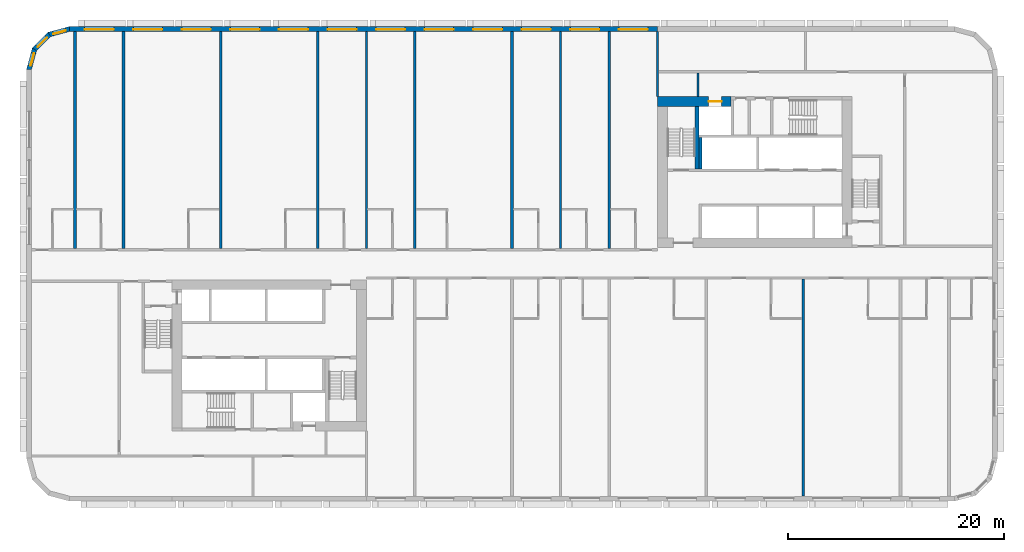
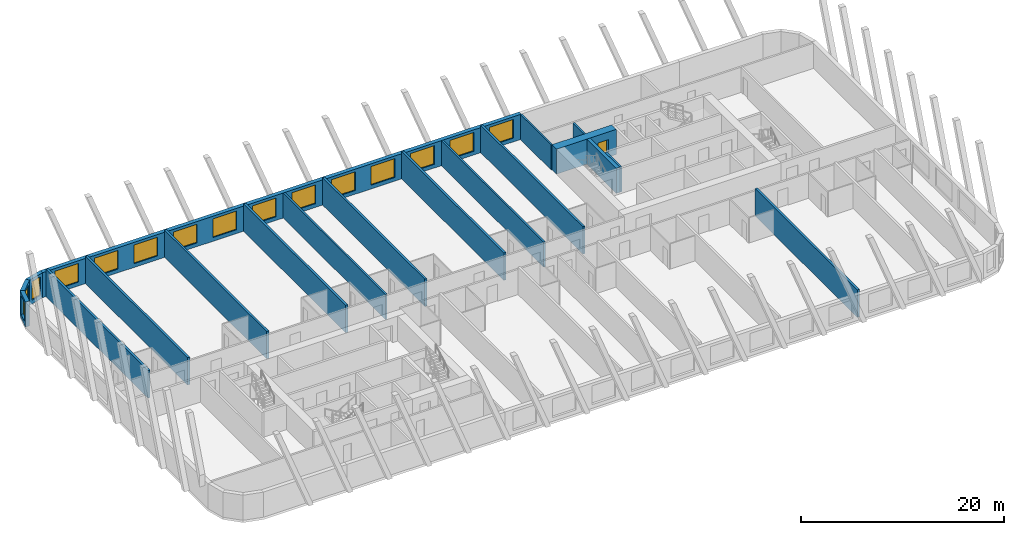
# One storey, part 6 of 13: 19 walls, 15 windows, 1 door, 16 openings.
"""IFC4 building model written with IfcOpenShell, lengths in metres."""

from ifc_helpers import new_model, si_unit, direction, frame, frame_2d, origin, place, context, subcontext, project, spatial, polyline, rectangle, outline, extrude, material, layer, layer_set, type_object, element, fill, save


model = new_model("IFC4")

# Units and contexts
model_context = context("Model", 3, precision=1e-05, world=origin(), true_north=direction((0.0, 1.0)))
body_context = subcontext(model_context, "Body", "Model", "MODEL_VIEW")
ifc_project = project(units=[si_unit("LENGTHUNIT", "METRE"), si_unit("AREAUNIT", "SQUARE_METRE"), si_unit("VOLUMEUNIT", "CUBIC_METRE"), si_unit("PLANEANGLEUNIT", "RADIAN"), si_unit("MASSUNIT", "GRAM", prefix="KILO")], contexts=[model_context])

# Site, building, storey
site_placement = place(None, origin())
site = spatial("IfcSite", under=ifc_project, at=site_placement, CompositionType="ELEMENT")
building_placement = place(site_placement, origin())
building = spatial("IfcBuilding", under=site, at=building_placement, Name="Kajstack Hotel Tower", CompositionType="ELEMENT")
storey_placement = place(building_placement, frame((0.0, 0.0, 60.0)))
storey = spatial("IfcBuildingStorey", under=building, at=storey_placement, Name="L09", CompositionType="ELEMENT", Elevation=60.0)

# Wall, opening, door
ifc_material_1 = material(Name="Concrete C60/75", Category="concrete")
ifc_layer_1 = layer(ifc_material_1, 0.89990234375)
ifc_layer_set_1 = layer_set([ifc_layer_1], Name="Core wall 900")
wall_type_1 = type_object("IfcWallType", Name="Core wall 900", PredefinedType="SHEAR", material=ifc_layer_set_1)
wall_1_placement = place(storey_placement, frame((13.5, 15.050048828125, 0.0), z_axis=(0.0, 0.0, 1.0), x_axis=(1.0, 0.0, 0.0)))
wall_1 = element("IfcWall", 1, at=wall_1_placement, inside=storey, type_object=wall_type_1, Name="Core wall E RS", PredefinedType="SHEAR", context=body_context, shape_type="SweptSolid", body=[
    extrude(rectangle(XDim=6.800048828125, YDim=0.89990234375, at=frame_2d((3.39990234375, 0.0))), origin(), (0.0, 0.0, 1.0), 3.02001953125),
])
opening_1_placement = place(wall_1_placement, frame((4.72509765625, 0.0, 0.0)))
opening_1 = element("IfcOpeningElement", 2, at=opening_1_placement, cuts=wall_1, Name="Opening LD-SV2", PredefinedType="OPENING", context=body_context, shape_type="SweptSolid", body=[
    extrude(rectangle(XDim=1.199951171875, YDim=2.10009765625, at=frame_2d((0.60009765625, 1.050048828125))), frame((0.0, 0.4599609375, 0.0), z_axis=(0.0, -1.0, 0.0), x_axis=(1.0, 0.0, 0.0)), (0.0, 0.0, 1.0), 0.919921875),
])
ifc_material_2 = material(Name="Stainless steel", Category="steel")
door_type = type_object("IfcDoorType", Name="Lift landing door 1200", OperationType="SLIDING_TO_LEFT", PredefinedType="DOOR", material=ifc_material_2)
door_placement = place(opening_1_placement, origin())
door = element("IfcDoor", 3, at=door_placement, inside=storey, type_object=door_type, Name="Landing door SV2", OperationType="SLIDING_TO_LEFT", OverallHeight=2.10009765625, OverallWidth=1.199951171875, PredefinedType="DOOR", context=body_context, shape_type="SweptSolid", body=[
    extrude(rectangle(XDim=1.199951171875, YDim=2.10009765625, at=frame_2d((0.60009765625, 1.050048828125))), frame((0.0, 0.02490234375, 0.0), z_axis=(0.0, -1.0, 0.0), x_axis=(1.0, 0.0, 0.0)), (0.0, 0.0, 1.0), 0.050048828125),
])
fill(opening_1, door)

# Walls
ifc_material_3 = material(Name="Twin-frame gypsum board on steel studs, mineral wool", Category="steel")
ifc_layer_2 = layer(ifc_material_3, 0.199951171875)
ifc_layer_set_2 = layer_set([ifc_layer_2], Name="Demising wall 200")
wall_type_2 = type_object("IfcWallType", Name="Demising wall 200", PredefinedType="PARTITIONING", material=ifc_layer_set_2)
wall_2_placement = place(storey_placement, frame((13.5, 15.5, 0.0), z_axis=(0.0, 0.0, 1.0), x_axis=(0.0, 1.0, 0.0)))
element("IfcWall", 4, at=wall_2_placement, inside=storey, type_object=wall_type_2, Name="G-wall-L09-001", PredefinedType="PARTITIONING", context=body_context, shape_type="SweptSolid", body=[
    extrude(rectangle(XDim=6.050048828125, YDim=0.199951171875, at=frame_2d((3.02490234375, 0.0))), origin(), (0.0, 0.0, 1.0), 3.02001953125),
])
for number, where, z_axis, x_axis, name in (
    (5, (-13.5, 1.39990234375, 0.0), (0.0, 0.0, 1.0), (0.0, 1.0, 0.0), "G-wall-L09-012"),
    (6, (4.5, 1.39990234375, 0.0), (0.0, 0.0, 1.0), (0.0, 1.0, 0.0), "G-wall-L09-019"),
):
    element("IfcWall", number, at=place(storey_placement, frame(where, z_axis=z_axis, x_axis=x_axis)), inside=storey, type_object=wall_type_2, Name=name, PredefinedType="PARTITIONING", context=body_context, shape_type="SweptSolid", body=[
        extrude(rectangle(XDim=20.150146484375, YDim=0.199951171875, at=frame_2d((10.0751953125, 0.0))), origin(), (0.0, 0.0, 1.0), 3.02001953125),
    ])

# Wall, openings, windows
ifc_material_4 = material(Name="Terracotta-faced brick masonry", Category="masonry")
ifc_layer_3 = layer(ifc_material_4, 0.449951171875)
ifc_layer_set_3 = layer_set([ifc_layer_3], Name="EW-TERRA")
wall_type_3 = type_object("IfcWallType", Name="EW-TERRA", PredefinedType="SOLIDWALL", material=ifc_layer_set_3)
wall_3_placement = place(storey_placement, frame((13.5, 21.77490234375, 0.0), z_axis=(0.0, 0.0, 1.0), x_axis=(-1.0, 0.0, 0.0)))
wall_3 = element("IfcWall", 7, at=wall_3_placement, inside=storey, type_object=wall_type_3, Name="E-wall-L09-11-02", PredefinedType="SOLIDWALL", context=body_context, shape_type="SweptSolid", body=[
    extrude(rectangle(XDim=54.5, YDim=0.449951171875, at=frame_2d((27.25, 0.0))), origin(), (0.0, 0.0, 1.0), 3.02001953125),
])
opening_2_placement = place(wall_3_placement, frame((0.89990234375, 0.0, 0.449951171875)))
opening_2 = element("IfcOpeningElement", 8, at=opening_2_placement, cuts=wall_3, Name="Opening W1", PredefinedType="OPENING", context=body_context, shape_type="SweptSolid", body=[
    extrude(rectangle(XDim=2.699951171875, YDim=2.25, at=frame_2d((1.35009765625, 1.125))), frame((0.0, 0.23486328125, 0.0), z_axis=(0.0, -1.0, 0.0), x_axis=(1.0, 0.0, 0.0)), (0.0, 0.0, 1.0), 0.469970703125),
])
opening_3_placement = place(wall_3_placement, frame((5.39990234375, 0.0, 0.449951171875)))
opening_3 = element("IfcOpeningElement", 9, at=opening_3_placement, cuts=wall_3, Name="Opening W1", PredefinedType="OPENING", context=body_context, shape_type="SweptSolid", body=[
    extrude(rectangle(XDim=2.699951171875, YDim=2.25, at=frame_2d((1.35009765625, 1.125))), frame((0.0, 0.23486328125, 0.0), z_axis=(0.0, -1.0, 0.0), x_axis=(1.0, 0.0, 0.0)), (0.0, 0.0, 1.0), 0.469970703125),
])
opening_4_placement = place(wall_3_placement, frame((9.89990234375, 0.0, 0.449951171875)))
opening_4 = element("IfcOpeningElement", 10, at=opening_4_placement, cuts=wall_3, Name="Opening W1", PredefinedType="OPENING", context=body_context, shape_type="SweptSolid", body=[
    extrude(rectangle(XDim=2.699951171875, YDim=2.25, at=frame_2d((1.35009765625, 1.125))), frame((0.0, 0.23486328125, 0.0), z_axis=(0.0, -1.0, 0.0), x_axis=(1.0, 0.0, 0.0)), (0.0, 0.0, 1.0), 0.469970703125),
])
opening_5_placement = place(wall_3_placement, frame((14.39990234375, 0.0, 0.449951171875)))
opening_5 = element("IfcOpeningElement", 11, at=opening_5_placement, cuts=wall_3, Name="Opening W1", PredefinedType="OPENING", context=body_context, shape_type="SweptSolid", body=[
    extrude(rectangle(XDim=2.699951171875, YDim=2.25, at=frame_2d((1.35009765625, 1.125))), frame((0.0, 0.23486328125, 0.0), z_axis=(0.0, -1.0, 0.0), x_axis=(1.0, 0.0, 0.0)), (0.0, 0.0, 1.0), 0.469970703125),
])
opening_6_placement = place(wall_3_placement, frame((18.89990234375, 0.0, 0.449951171875)))
opening_6 = element("IfcOpeningElement", 12, at=opening_6_placement, cuts=wall_3, Name="Opening W1", PredefinedType="OPENING", context=body_context, shape_type="SweptSolid", body=[
    extrude(rectangle(XDim=2.699951171875, YDim=2.25, at=frame_2d((1.35009765625, 1.125))), frame((0.0, 0.23486328125, 0.0), z_axis=(0.0, -1.0, 0.0), x_axis=(1.0, 0.0, 0.0)), (0.0, 0.0, 1.0), 0.469970703125),
])
opening_7_placement = place(wall_3_placement, frame((23.39990234375, 0.0, 0.449951171875)))
opening_7 = element("IfcOpeningElement", 13, at=opening_7_placement, cuts=wall_3, Name="Opening W1", PredefinedType="OPENING", context=body_context, shape_type="SweptSolid", body=[
    extrude(rectangle(XDim=2.699951171875, YDim=2.25, at=frame_2d((1.35009765625, 1.125))), frame((0.0, 0.23486328125, 0.0), z_axis=(0.0, -1.0, 0.0), x_axis=(1.0, 0.0, 0.0)), (0.0, 0.0, 1.0), 0.469970703125),
])
opening_8_placement = place(wall_3_placement, frame((27.89990234375, 0.0, 0.449951171875)))
opening_8 = element("IfcOpeningElement", 14, at=opening_8_placement, cuts=wall_3, Name="Opening W1", PredefinedType="OPENING", context=body_context, shape_type="SweptSolid", body=[
    extrude(rectangle(XDim=2.699951171875, YDim=2.25, at=frame_2d((1.35009765625, 1.125))), frame((0.0, 0.23486328125, 0.0), z_axis=(0.0, -1.0, 0.0), x_axis=(1.0, 0.0, 0.0)), (0.0, 0.0, 1.0), 0.469970703125),
])
opening_9_placement = place(wall_3_placement, frame((32.39990234375, 0.0, 0.449951171875)))
opening_9 = element("IfcOpeningElement", 15, at=opening_9_placement, cuts=wall_3, Name="Opening W1", PredefinedType="OPENING", context=body_context, shape_type="SweptSolid", body=[
    extrude(rectangle(XDim=2.699951171875, YDim=2.25, at=frame_2d((1.35009765625, 1.125))), frame((0.0, 0.23486328125, 0.0), z_axis=(0.0, -1.0, 0.0), x_axis=(1.0, 0.0, 0.0)), (0.0, 0.0, 1.0), 0.469970703125),
])
opening_10_placement = place(wall_3_placement, frame((36.89990234375, 0.0, 0.449951171875)))
opening_10 = element("IfcOpeningElement", 16, at=opening_10_placement, cuts=wall_3, Name="Opening W1", PredefinedType="OPENING", context=body_context, shape_type="SweptSolid", body=[
    extrude(rectangle(XDim=2.699951171875, YDim=2.25, at=frame_2d((1.35009765625, 1.125))), frame((0.0, 0.23486328125, 0.0), z_axis=(0.0, -1.0, 0.0), x_axis=(1.0, 0.0, 0.0)), (0.0, 0.0, 1.0), 0.469970703125),
])
opening_11_placement = place(wall_3_placement, frame((41.39990234375, 0.0, 0.449951171875)))
opening_11 = element("IfcOpeningElement", 17, at=opening_11_placement, cuts=wall_3, Name="Opening W1", PredefinedType="OPENING", context=body_context, shape_type="SweptSolid", body=[
    extrude(rectangle(XDim=2.699951171875, YDim=2.25, at=frame_2d((1.35009765625, 1.125))), frame((0.0, 0.23486328125, 0.0), z_axis=(0.0, -1.0, 0.0), x_axis=(1.0, 0.0, 0.0)), (0.0, 0.0, 1.0), 0.469970703125),
])
opening_12_placement = place(wall_3_placement, frame((45.89990234375, 0.0, 0.449951171875)))
opening_12 = element("IfcOpeningElement", 18, at=opening_12_placement, cuts=wall_3, Name="Opening W1", PredefinedType="OPENING", context=body_context, shape_type="SweptSolid", body=[
    extrude(rectangle(XDim=2.699951171875, YDim=2.25, at=frame_2d((1.35009765625, 1.125))), frame((0.0, 0.23486328125, 0.0), z_axis=(0.0, -1.0, 0.0), x_axis=(1.0, 0.0, 0.0)), (0.0, 0.0, 1.0), 0.469970703125),
])
opening_13_placement = place(wall_3_placement, frame((50.39990234375, 0.0, 0.449951171875)))
opening_13 = element("IfcOpeningElement", 19, at=opening_13_placement, cuts=wall_3, Name="Opening W1", PredefinedType="OPENING", context=body_context, shape_type="SweptSolid", body=[
    extrude(rectangle(XDim=2.699951171875, YDim=2.25, at=frame_2d((1.35009765625, 1.125))), frame((0.0, 0.23486328125, 0.0), z_axis=(0.0, -1.0, 0.0), x_axis=(1.0, 0.0, 0.0)), (0.0, 0.0, 1.0), 0.469970703125),
])
ifc_material_5 = material(Name="Timber-aluminium window, triple glazed", Category="wood")
window_type_1 = type_object("IfcWindowType", Name="WG1", PartitioningType="SINGLE_PANEL", PredefinedType="WINDOW", material=ifc_material_5)
window_1_placement = place(opening_2_placement, origin())
window_1 = element("IfcWindow", 20, at=window_1_placement, inside=storey, type_object=window_type_1, Name="Window W1 L09-11", OverallHeight=2.25, OverallWidth=2.699951171875, PartitioningType="SINGLE_PANEL", PredefinedType="WINDOW", context=body_context, shape_type="SweptSolid", body=[
    extrude(rectangle(XDim=2.699951171875, YDim=2.25, at=frame_2d((1.35009765625, 1.125))), frame((0.0, 0.090087890625, 0.0), z_axis=(0.0, -1.0, 0.0), x_axis=(1.0, 0.0, 0.0)), (0.0, 0.0, 1.0), 0.06005859375),
])
fill(opening_2, window_1)
window_2_placement = place(opening_3_placement, origin())
window_2 = element("IfcWindow", 21, at=window_2_placement, inside=storey, type_object=window_type_1, Name="Window W1 L09-11", OverallHeight=2.25, OverallWidth=2.699951171875, PartitioningType="SINGLE_PANEL", PredefinedType="WINDOW", context=body_context, shape_type="SweptSolid", body=[
    extrude(rectangle(XDim=2.699951171875, YDim=2.25, at=frame_2d((1.35009765625, 1.125))), frame((0.0, 0.090087890625, 0.0), z_axis=(0.0, -1.0, 0.0), x_axis=(1.0, 0.0, 0.0)), (0.0, 0.0, 1.0), 0.06005859375),
])
fill(opening_3, window_2)
window_3_placement = place(opening_4_placement, origin())
window_3 = element("IfcWindow", 22, at=window_3_placement, inside=storey, type_object=window_type_1, Name="Window W1 L09-11", OverallHeight=2.25, OverallWidth=2.699951171875, PartitioningType="SINGLE_PANEL", PredefinedType="WINDOW", context=body_context, shape_type="SweptSolid", body=[
    extrude(rectangle(XDim=2.699951171875, YDim=2.25, at=frame_2d((1.35009765625, 1.125))), frame((0.0, 0.090087890625, 0.0), z_axis=(0.0, -1.0, 0.0), x_axis=(1.0, 0.0, 0.0)), (0.0, 0.0, 1.0), 0.06005859375),
])
fill(opening_4, window_3)
window_4_placement = place(opening_5_placement, origin())
window_4 = element("IfcWindow", 23, at=window_4_placement, inside=storey, type_object=window_type_1, Name="Window W1 L09-11", OverallHeight=2.25, OverallWidth=2.699951171875, PartitioningType="SINGLE_PANEL", PredefinedType="WINDOW", context=body_context, shape_type="SweptSolid", body=[
    extrude(rectangle(XDim=2.699951171875, YDim=2.25, at=frame_2d((1.35009765625, 1.125))), frame((0.0, 0.090087890625, 0.0), z_axis=(0.0, -1.0, 0.0), x_axis=(1.0, 0.0, 0.0)), (0.0, 0.0, 1.0), 0.06005859375),
])
fill(opening_5, window_4)
window_5_placement = place(opening_6_placement, origin())
window_5 = element("IfcWindow", 24, at=window_5_placement, inside=storey, type_object=window_type_1, Name="Window W1 L09-11", OverallHeight=2.25, OverallWidth=2.699951171875, PartitioningType="SINGLE_PANEL", PredefinedType="WINDOW", context=body_context, shape_type="SweptSolid", body=[
    extrude(rectangle(XDim=2.699951171875, YDim=2.25, at=frame_2d((1.35009765625, 1.125))), frame((0.0, 0.090087890625, 0.0), z_axis=(0.0, -1.0, 0.0), x_axis=(1.0, 0.0, 0.0)), (0.0, 0.0, 1.0), 0.06005859375),
])
fill(opening_6, window_5)
window_6_placement = place(opening_7_placement, origin())
window_6 = element("IfcWindow", 25, at=window_6_placement, inside=storey, type_object=window_type_1, Name="Window W1 L09-11", OverallHeight=2.25, OverallWidth=2.699951171875, PartitioningType="SINGLE_PANEL", PredefinedType="WINDOW", context=body_context, shape_type="SweptSolid", body=[
    extrude(rectangle(XDim=2.699951171875, YDim=2.25, at=frame_2d((1.35009765625, 1.125))), frame((0.0, 0.090087890625, 0.0), z_axis=(0.0, -1.0, 0.0), x_axis=(1.0, 0.0, 0.0)), (0.0, 0.0, 1.0), 0.06005859375),
])
fill(opening_7, window_6)
window_7_placement = place(opening_8_placement, origin())
window_7 = element("IfcWindow", 26, at=window_7_placement, inside=storey, type_object=window_type_1, Name="Window W1 L09-11", OverallHeight=2.25, OverallWidth=2.699951171875, PartitioningType="SINGLE_PANEL", PredefinedType="WINDOW", context=body_context, shape_type="SweptSolid", body=[
    extrude(rectangle(XDim=2.699951171875, YDim=2.25, at=frame_2d((1.35009765625, 1.125))), frame((0.0, 0.090087890625, 0.0), z_axis=(0.0, -1.0, 0.0), x_axis=(1.0, 0.0, 0.0)), (0.0, 0.0, 1.0), 0.06005859375),
])
fill(opening_8, window_7)
window_8_placement = place(opening_9_placement, origin())
window_8 = element("IfcWindow", 27, at=window_8_placement, inside=storey, type_object=window_type_1, Name="Window W1 L09-11", OverallHeight=2.25, OverallWidth=2.699951171875, PartitioningType="SINGLE_PANEL", PredefinedType="WINDOW", context=body_context, shape_type="SweptSolid", body=[
    extrude(rectangle(XDim=2.699951171875, YDim=2.25, at=frame_2d((1.35009765625, 1.125))), frame((0.0, 0.090087890625, 0.0), z_axis=(0.0, -1.0, 0.0), x_axis=(1.0, 0.0, 0.0)), (0.0, 0.0, 1.0), 0.06005859375),
])
fill(opening_9, window_8)
window_9_placement = place(opening_10_placement, origin())
window_9 = element("IfcWindow", 28, at=window_9_placement, inside=storey, type_object=window_type_1, Name="Window W1 L09-11", OverallHeight=2.25, OverallWidth=2.699951171875, PartitioningType="SINGLE_PANEL", PredefinedType="WINDOW", context=body_context, shape_type="SweptSolid", body=[
    extrude(rectangle(XDim=2.699951171875, YDim=2.25, at=frame_2d((1.35009765625, 1.125))), frame((0.0, 0.090087890625, 0.0), z_axis=(0.0, -1.0, 0.0), x_axis=(1.0, 0.0, 0.0)), (0.0, 0.0, 1.0), 0.06005859375),
])
fill(opening_10, window_9)
window_10_placement = place(opening_11_placement, origin())
window_10 = element("IfcWindow", 29, at=window_10_placement, inside=storey, type_object=window_type_1, Name="Window W1 L09-11", OverallHeight=2.25, OverallWidth=2.699951171875, PartitioningType="SINGLE_PANEL", PredefinedType="WINDOW", context=body_context, shape_type="SweptSolid", body=[
    extrude(rectangle(XDim=2.699951171875, YDim=2.25, at=frame_2d((1.35009765625, 1.125))), frame((0.0, 0.090087890625, 0.0), z_axis=(0.0, -1.0, 0.0), x_axis=(1.0, 0.0, 0.0)), (0.0, 0.0, 1.0), 0.06005859375),
])
fill(opening_11, window_10)
window_11_placement = place(opening_12_placement, origin())
window_11 = element("IfcWindow", 30, at=window_11_placement, inside=storey, type_object=window_type_1, Name="Window W1 L09-11", OverallHeight=2.25, OverallWidth=2.699951171875, PartitioningType="SINGLE_PANEL", PredefinedType="WINDOW", context=body_context, shape_type="SweptSolid", body=[
    extrude(rectangle(XDim=2.699951171875, YDim=2.25, at=frame_2d((1.35009765625, 1.125))), frame((0.0, 0.090087890625, 0.0), z_axis=(0.0, -1.0, 0.0), x_axis=(1.0, 0.0, 0.0)), (0.0, 0.0, 1.0), 0.06005859375),
])
fill(opening_12, window_11)
window_12_placement = place(opening_13_placement, origin())
window_12 = element("IfcWindow", 31, at=window_12_placement, inside=storey, type_object=window_type_1, Name="Window W1 L09-11", OverallHeight=2.25, OverallWidth=2.699951171875, PartitioningType="SINGLE_PANEL", PredefinedType="WINDOW", context=body_context, shape_type="SweptSolid", body=[
    extrude(rectangle(XDim=2.699951171875, YDim=2.25, at=frame_2d((1.35009765625, 1.125))), frame((0.0, 0.090087890625, 0.0), z_axis=(0.0, -1.0, 0.0), x_axis=(1.0, 0.0, 0.0)), (0.0, 0.0, 1.0), 0.06005859375),
])
fill(opening_13, window_12)

# Wall, opening, window
wall_4_placement = place(storey_placement, frame((-40.941650390625, 21.78271484375, 0.0), z_axis=(0.0, 0.0, 1.0), x_axis=(-0.965926999034, -0.25881466832, 0.0)))
wall_4 = element("IfcWall", 32, at=wall_4_placement, inside=storey, type_object=wall_type_3, Name="E-wall-L09-12-00", PredefinedType="SOLIDWALL", context=body_context, shape_type="SweptSolid", body=[
    extrude(outline(polyline([(0.000244140625, -0.22509765625), (2.070556640625, -0.224853515625), (1.9501953125, 0.22509765625), (0.12060546875, 0.22509765625), (0.000244140625, -0.22509765625)])), origin(), (0.0, 0.0, 1.0), 3.02001953125),
])
opening_14_placement = place(wall_4_placement, frame((0.435302734375, 0.0, 0.449951171875)))
opening_14 = element("IfcOpeningElement", 33, at=opening_14_placement, cuts=wall_4, Name="Opening W3", PredefinedType="OPENING", context=body_context, shape_type="SweptSolid", body=[
    extrude(rectangle(XDim=1.199951171875, YDim=2.25, at=frame_2d((0.60009765625, 1.125))), frame((0.0, 0.23486328125, 0.0), z_axis=(0.0, -1.0, 0.0), x_axis=(1.0, 0.0, 0.0)), (0.0, 0.0, 1.0), 0.469970703125),
])
window_type_2 = type_object("IfcWindowType", Name="WG3", PartitioningType="SINGLE_PANEL", PredefinedType="WINDOW", material=ifc_material_5)
window_13_placement = place(opening_14_placement, origin())
window_13 = element("IfcWindow", 34, at=window_13_placement, inside=storey, type_object=window_type_2, Name="Window W3 L09-12", OverallHeight=2.25, OverallWidth=1.199951171875, PartitioningType="SINGLE_PANEL", PredefinedType="WINDOW", context=body_context, shape_type="SweptSolid", body=[
    extrude(rectangle(XDim=1.199951171875, YDim=2.25, at=frame_2d((0.60009765625, 1.125))), frame((0.0, 0.090087890625, 0.0), z_axis=(0.0, -1.0, 0.0), x_axis=(1.0, 0.0, 0.0)), (0.0, 0.0, 1.0), 0.06005859375),
])
fill(opening_14, window_13)

wall_5_placement = place(storey_placement, frame((-42.8408203125, 21.304931640625, 0.0), z_axis=(0.0, 0.0, 1.0), x_axis=(-0.707106781187, -0.707106781187, 0.0)))
wall_5 = element("IfcWall", 35, at=wall_5_placement, inside=storey, type_object=wall_type_3, Name="E-wall-L09-13-00", PredefinedType="SOLIDWALL", context=body_context, shape_type="SweptSolid", body=[
    extrude(outline(polyline([(0.0, -0.22509765625), (2.070556640625, -0.22509765625), (1.949951171875, 0.224853515625), (0.12060546875, 0.224853515625), (0.0, -0.22509765625)])), origin(), (0.0, 0.0, 1.0), 3.02001953125),
])
opening_15_placement = place(wall_5_placement, frame((0.435302734375, 0.0, 0.449951171875)))
opening_15 = element("IfcOpeningElement", 36, at=opening_15_placement, cuts=wall_5, Name="Opening W3", PredefinedType="OPENING", context=body_context, shape_type="SweptSolid", body=[
    extrude(rectangle(XDim=1.199951171875, YDim=2.25, at=frame_2d((0.60009765625, 1.125))), frame((0.0, 0.23486328125, 0.0), z_axis=(0.0, -1.0, 0.0), x_axis=(1.0, 0.0, 0.0)), (0.0, 0.0, 1.0), 0.469970703125),
])
window_14_placement = place(opening_15_placement, origin())
window_14 = element("IfcWindow", 37, at=window_14_placement, inside=storey, type_object=window_type_2, Name="Window W3 L09-13", OverallHeight=2.25, OverallWidth=1.199951171875, PartitioningType="SINGLE_PANEL", PredefinedType="WINDOW", context=body_context, shape_type="SweptSolid", body=[
    extrude(rectangle(XDim=1.199951171875, YDim=2.25, at=frame_2d((0.60009765625, 1.125))), frame((0.0, 0.090087890625, 0.0), z_axis=(0.0, -1.0, 0.0), x_axis=(1.0, 0.0, 0.0)), (0.0, 0.0, 1.0), 0.06005859375),
])
fill(opening_15, window_14)

wall_6_placement = place(storey_placement, frame((-44.246826171875, 19.941650390625, 0.0), z_axis=(0.0, 0.0, 1.0), x_axis=(-0.25881466832, -0.965926999034, 0.0)))
wall_6 = element("IfcWall", 38, at=wall_6_placement, inside=storey, type_object=wall_type_3, Name="E-wall-L09-14-00", PredefinedType="SOLIDWALL", context=body_context, shape_type="SweptSolid", body=[
    extrude(outline(polyline([(-0.000244140625, -0.224853515625), (2.0703125, -0.22509765625), (1.949951171875, 0.22509765625), (0.120361328125, 0.22509765625), (-0.000244140625, -0.224853515625)])), origin(), (0.0, 0.0, 1.0), 3.02001953125),
])
opening_16_placement = place(wall_6_placement, frame((0.435302734375, 0.0, 0.449951171875)))
opening_16 = element("IfcOpeningElement", 39, at=opening_16_placement, cuts=wall_6, Name="Opening W3", PredefinedType="OPENING", context=body_context, shape_type="SweptSolid", body=[
    extrude(rectangle(XDim=1.199951171875, YDim=2.25, at=frame_2d((0.60009765625, 1.125))), frame((0.0, 0.23486328125, 0.0), z_axis=(0.0, -1.0, 0.0), x_axis=(1.0, 0.0, 0.0)), (0.0, 0.0, 1.0), 0.469970703125),
])
window_15_placement = place(opening_16_placement, origin())
window_15 = element("IfcWindow", 40, at=window_15_placement, inside=storey, type_object=window_type_2, Name="Window W3 L09-14", OverallHeight=2.25, OverallWidth=1.199951171875, PartitioningType="SINGLE_PANEL", PredefinedType="WINDOW", context=body_context, shape_type="SweptSolid", body=[
    extrude(rectangle(XDim=1.199951171875, YDim=2.25, at=frame_2d((0.60009765625, 1.125))), frame((0.0, 0.090087890625, 0.0), z_axis=(0.0, -1.0, 0.0), x_axis=(1.0, 0.0, 0.0)), (0.0, 0.0, 1.0), 0.06005859375),
])
fill(opening_16, window_15)

# Walls
ifc_layer_4 = layer(ifc_material_1, 0.25)
ifc_layer_set_4 = layer_set([ifc_layer_4], Name="RC cross wall 250 C60/75")
wall_type_4 = type_object("IfcWallType", Name="RC cross wall 250 C60/75", PredefinedType="SHEAR", material=ifc_layer_set_4)
for number, where, z_axis, x_axis, name in (
    (41, (-40.5, 1.39990234375, 0.0), (0.0, 0.0, 1.0), (0.0, 1.0, 0.0), "S-wall-L09-01"),
    (42, (-36.0, 1.39990234375, 0.0), (0.0, 0.0, 1.0), (0.0, 1.0, 0.0), "S-wall-L09-02"),
    (43, (-27.0, 1.39990234375, 0.0), (0.0, 0.0, 1.0), (0.0, 1.0, 0.0), "S-wall-L09-03"),
    (44, (-18.0, 1.39990234375, 0.0), (0.0, 0.0, 1.0), (0.0, 1.0, 0.0), "S-wall-L09-04"),
    (45, (-9.0, 1.39990234375, 0.0), (0.0, 0.0, 1.0), (0.0, 1.0, 0.0), "S-wall-L09-06"),
    (46, (0.0, 1.39990234375, 0.0), (0.0, 0.0, 1.0), (0.0, 1.0, 0.0), "S-wall-L09-08"),
    (47, (9.0, 1.39990234375, 0.0), (0.0, 0.0, 1.0), (0.0, 1.0, 0.0), "S-wall-L09-10"),
    (48, (27.0, -21.5400390625, 0.0), (0.0, 0.0, 1.0), (0.0, 1.0, 0.0), "S-wall-L09-12"),
):
    element("IfcWall", number, at=place(storey_placement, frame(where, z_axis=z_axis, x_axis=x_axis)), inside=storey, type_object=wall_type_4, Name=name, PredefinedType="SHEAR", context=body_context, shape_type="SweptSolid", body=[
        extrude(rectangle(XDim=20.14013671875, YDim=0.25, at=frame_2d((10.070068359375, 0.0))), origin(), (0.0, 0.0, 1.0), 3.300048828125),
    ])
ifc_material_6 = material(Name="Gypsum board on steel studs, mineral wool", Category="steel")
ifc_layer_5 = layer(ifc_material_6, 0.199951171875)
ifc_layer_set_5 = layer_set([ifc_layer_5], Name="Service partition 200")
wall_type_5 = type_object("IfcWallType", Name="Service partition 200", PredefinedType="PARTITIONING", material=ifc_layer_set_5)
wall_7_placement = place(storey_placement, frame((17.25, 15.5, 0.0), z_axis=(0.0, 0.0, 1.0), x_axis=(0.0, 1.0, 0.0)))
element("IfcWall", 49, at=wall_7_placement, inside=storey, type_object=wall_type_5, Name="Partition E SCE", PredefinedType="PARTITIONING", context=body_context, shape_type="SweptSolid", body=[
    extrude(rectangle(XDim=2.199951171875, YDim=0.199951171875, at=frame_2d((1.10009765625, 0.0))), origin(), (0.0, 0.0, 1.0), 3.02001953125),
])
ifc_material_7 = material(Name="Concrete C50/60", Category="concrete")
ifc_layer_6 = layer(ifc_material_7, 0.25)
ifc_layer_set_6 = layer_set([ifc_layer_6], Name="Shaft wall 250")
wall_type_6 = type_object("IfcWallType", Name="Shaft wall 250", PredefinedType="SHEAR", material=ifc_layer_set_6)
wall_8_placement = place(storey_placement, frame((17.47509765625, 8.800048828125, 0.0), z_axis=(0.0, 0.0, 1.0), x_axis=(0.0, 1.0, 0.0)))
element("IfcWall", 50, at=wall_8_placement, inside=storey, type_object=wall_type_6, Name="Core wall E BE", PredefinedType="SHEAR", context=body_context, shape_type="SweptSolid", body=[
    extrude(rectangle(XDim=2.89990234375, YDim=0.25, at=frame_2d((1.449951171875, 0.0))), origin(), (0.0, 0.0, 1.0), 3.02001953125),
])
ifc_layer_7 = layer(ifc_material_7, 0.39990234375)
ifc_layer_set_7 = layer_set([ifc_layer_7], Name="Stair wall 400")
wall_type_7 = type_object("IfcWallType", Name="Stair wall 400", PredefinedType="SHEAR", material=ifc_layer_set_7)
wall_9_placement = place(storey_placement, frame((17.14990234375, 8.800048828125, 0.0), z_axis=(0.0, 0.0, 1.0), x_axis=(0.0, 1.0, 0.0)))
element("IfcWall", 51, at=wall_9_placement, inside=storey, type_object=wall_type_7, Name="Core wall E WW2", PredefinedType="SHEAR", context=body_context, shape_type="SweptSolid", body=[
    extrude(rectangle(XDim=5.800048828125, YDim=0.39990234375, at=frame_2d((2.89990234375, 0.0))), origin(), (0.0, 0.0, 1.0), 3.02001953125),
])

save(model, "model.ifc")
